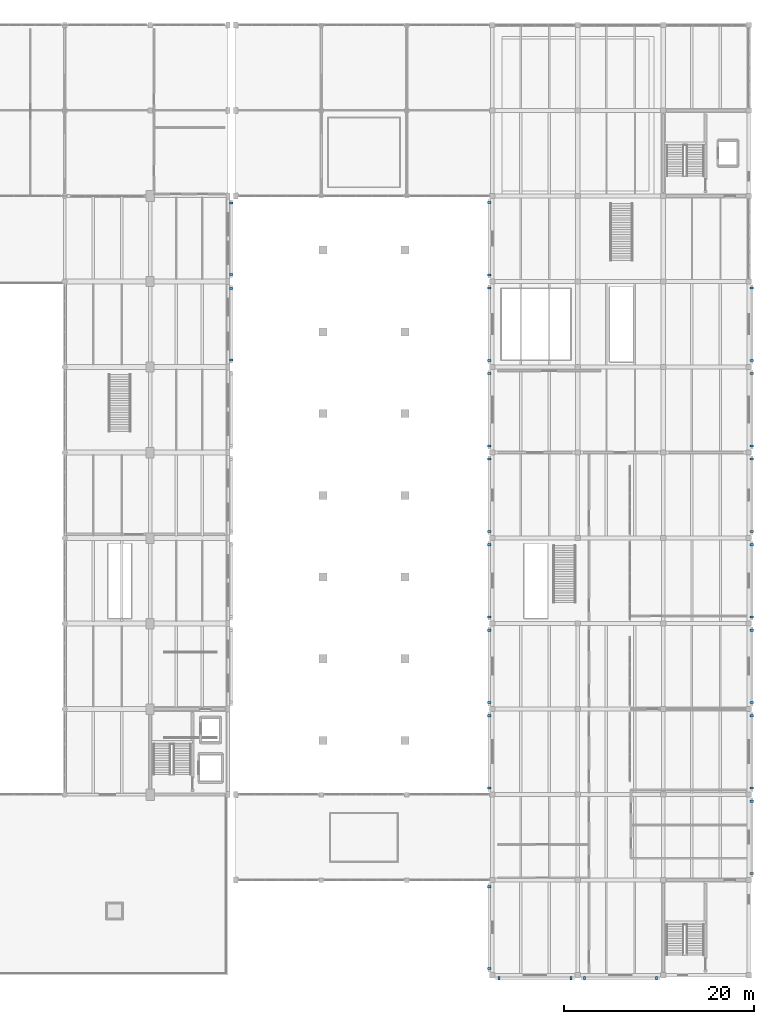
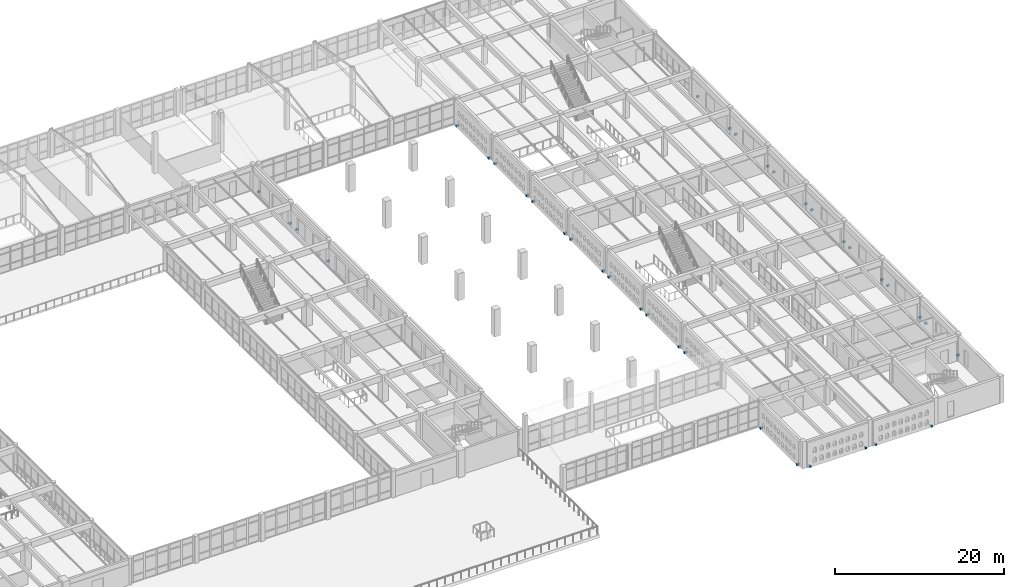
# One storey, part 141 of 156: 38 discrete accessories.
"""IFC4 building model written with IfcOpenShell, lengths in metres."""

from ifc_helpers import new_model, si_unit, direction, frame, origin, origin_2d, place, context, subcontext, project, spatial, rectangle, extrude, material, type_object, element, save


model = new_model("IFC4")

# Units and contexts
model_context = context("Model", 3, precision=1e-05, world=origin(), true_north=direction((0.0, 1.0)))
body_context = subcontext(model_context, "Body", "Model", "MODEL_VIEW")
ifc_project = project(units=[si_unit("LENGTHUNIT", "METRE"), si_unit("AREAUNIT", "SQUARE_METRE"), si_unit("VOLUMEUNIT", "CUBIC_METRE"), si_unit("PLANEANGLEUNIT", "RADIAN"), si_unit("MASSUNIT", "GRAM", prefix="KILO")], contexts=[model_context])

# Site, building, storey
site_placement = place(None, origin())
site = spatial("IfcSite", under=ifc_project, at=site_placement, CompositionType="ELEMENT")
building_placement = place(site_placement, origin())
building = spatial("IfcBuilding", under=site, at=building_placement, Name="Ornek Quay Market", CompositionType="ELEMENT")
storey_placement = place(building_placement, frame((0.0, 0.0, 4.5)))
storey = spatial("IfcBuildingStorey", under=building, at=storey_placement, Name="L01", CompositionType="ELEMENT", Elevation=4.5)

# Discrete accessories
ifc_material = material(Name="Stainless steel 316", Category="steel")
discrete_accessory_type = type_object("IfcDiscreteAccessoryType", Name="ACC-BRK-SCREEN-250", PredefinedType="BRACKET", material=ifc_material)
for number, where, z_axis, x_axis, name in (
    (1, (125.5400390625, 74.75, 0.0), (0.0, 0.0, 1.0), (0.0, 1.0, 0.0), "Masonry screen bracket BRK-105"),
    (2, (125.5400390625, 82.25, 0.0), (0.0, 0.0, 1.0), (0.0, 1.0, 0.0), "Masonry screen bracket BRK-106"),
    (3, (125.5400390625, 83.75, 0.0), (0.0, 0.0, 1.0), (0.0, 1.0, 0.0), "Masonry screen bracket BRK-107"),
    (4, (125.5400390625, 91.25, 0.0), (0.0, 0.0, 1.0), (0.0, 1.0, 0.0), "Masonry screen bracket BRK-108"),
    (5, (152.669921875, 65.699951171875, 0.0), (0.0, 0.0, 1.0), (0.0, 1.0, 0.0), "Masonry screen bracket BRK-131"),
    (6, (152.669921875, 73.300048828125, 0.0), (0.0, 0.0, 1.0), (0.0, 1.0, 0.0), "Masonry screen bracket BRK-132"),
    (7, (152.669921875, 74.699951171875, 0.0), (0.0, 0.0, 1.0), (0.0, 1.0, 0.0), "Masonry screen bracket BRK-133"),
    (8, (152.669921875, 82.300048828125, 0.0), (0.0, 0.0, 1.0), (0.0, 1.0, 0.0), "Masonry screen bracket BRK-134"),
    (9, (152.669921875, 83.699951171875, 0.0), (0.0, 0.0, 1.0), (0.0, 1.0, 0.0), "Masonry screen bracket BRK-135"),
    (10, (152.669921875, 91.300048828125, 0.0), (0.0, 0.0, 1.0), (0.0, 1.0, 0.0), "Masonry screen bracket BRK-136"),
    (11, (180.330078125, 65.699951171875, 0.0), (0.0, 0.0, 1.0), (0.0, 1.0, 0.0), "Masonry screen bracket BRK-137"),
    (12, (180.330078125, 73.300048828125, 0.0), (0.0, 0.0, 1.0), (0.0, 1.0, 0.0), "Masonry screen bracket BRK-138"),
    (13, (180.330078125, 74.699951171875, 0.0), (0.0, 0.0, 1.0), (0.0, 1.0, 0.0), "Masonry screen bracket BRK-139"),
    (14, (180.330078125, 82.300048828125, 0.0), (0.0, 0.0, 1.0), (0.0, 1.0, 0.0), "Masonry screen bracket BRK-140"),
    (15, (152.669921875, 10.699951171875, 0.0), (0.0, 0.0, 1.0), (0.0, 1.0, 0.0), "Masonry screen bracket BRK-175"),
    (16, (152.669921875, 19.300048828125, 0.0), (0.0, 0.0, 1.0), (0.0, 1.0, 0.0), "Masonry screen bracket BRK-176"),
    (17, (152.669921875, 29.699951171875, 0.0), (0.0, 0.0, 1.0), (0.0, 1.0, 0.0), "Masonry screen bracket BRK-177"),
    (18, (152.669921875, 37.300048828125, 0.0), (0.0, 0.0, 1.0), (0.0, 1.0, 0.0), "Masonry screen bracket BRK-178"),
    (19, (152.669921875, 38.699951171875, 0.0), (0.0, 0.0, 1.0), (0.0, 1.0, 0.0), "Masonry screen bracket BRK-179"),
    (20, (152.669921875, 46.300048828125, 0.0), (0.0, 0.0, 1.0), (0.0, 1.0, 0.0), "Masonry screen bracket BRK-180"),
    (21, (152.669921875, 47.699951171875, 0.0), (0.0, 0.0, 1.0), (0.0, 1.0, 0.0), "Masonry screen bracket BRK-181"),
    (22, (152.669921875, 55.300048828125, 0.0), (0.0, 0.0, 1.0), (0.0, 1.0, 0.0), "Masonry screen bracket BRK-182"),
    (23, (152.669921875, 56.699951171875, 0.0), (0.0, 0.0, 1.0), (0.0, 1.0, 0.0), "Masonry screen bracket BRK-183"),
    (24, (152.669921875, 64.300048828125, 0.0), (0.0, 0.0, 1.0), (0.0, 1.0, 0.0), "Masonry screen bracket BRK-184"),
    (25, (180.330078125, 20.699951171875, 0.0), (0.0, 0.0, 1.0), (0.0, 1.0, 0.0), "Masonry screen bracket BRK-185"),
    (26, (180.330078125, 28.300048828125, 0.0), (0.0, 0.0, 1.0), (0.0, 1.0, 0.0), "Masonry screen bracket BRK-186"),
    (27, (180.330078125, 29.699951171875, 0.0), (0.0, 0.0, 1.0), (0.0, 1.0, 0.0), "Masonry screen bracket BRK-187"),
    (28, (180.330078125, 37.300048828125, 0.0), (0.0, 0.0, 1.0), (0.0, 1.0, 0.0), "Masonry screen bracket BRK-188"),
    (29, (180.330078125, 38.699951171875, 0.0), (0.0, 0.0, 1.0), (0.0, 1.0, 0.0), "Masonry screen bracket BRK-189"),
    (30, (180.330078125, 46.300048828125, 0.0), (0.0, 0.0, 1.0), (0.0, 1.0, 0.0), "Masonry screen bracket BRK-190"),
    (31, (180.330078125, 47.699951171875, 0.0), (0.0, 0.0, 1.0), (0.0, 1.0, 0.0), "Masonry screen bracket BRK-191"),
    (32, (180.330078125, 55.300048828125, 0.0), (0.0, 0.0, 1.0), (0.0, 1.0, 0.0), "Masonry screen bracket BRK-192"),
    (33, (180.330078125, 56.699951171875, 0.0), (0.0, 0.0, 1.0), (0.0, 1.0, 0.0), "Masonry screen bracket BRK-193"),
    (34, (180.330078125, 64.300048828125, 0.0), (0.0, 0.0, 1.0), (0.0, 1.0, 0.0), "Masonry screen bracket BRK-194"),
    (35, (153.699951171875, 9.669921875, 0.0), (0.0, 0.0, 1.0), (1.0, 0.0, 0.0), "Masonry screen bracket BRK-195"),
    (36, (161.300048828125, 9.669921875, 0.0), (0.0, 0.0, 1.0), (1.0, 0.0, 0.0), "Masonry screen bracket BRK-196"),
    (37, (162.699951171875, 9.669921875, 0.0), (0.0, 0.0, 1.0), (1.0, 0.0, 0.0), "Masonry screen bracket BRK-197"),
    (38, (170.300048828125, 9.669921875, 0.0), (0.0, 0.0, 1.0), (1.0, 0.0, 0.0), "Masonry screen bracket BRK-198"),
):
    element("IfcDiscreteAccessory", number, at=place(storey_placement, frame(where, z_axis=z_axis, x_axis=x_axis)), inside=storey, type_object=discrete_accessory_type, Name=name, PredefinedType="BRACKET", context=body_context, shape_type="SweptSolid", body=[
        extrude(rectangle(XDim=0.219970703125, YDim=0.360107421875, at=origin_2d()), origin(), (0.0, 0.0, 1.0), 0.260009765625),
    ])

save(model, "model.ifc")
